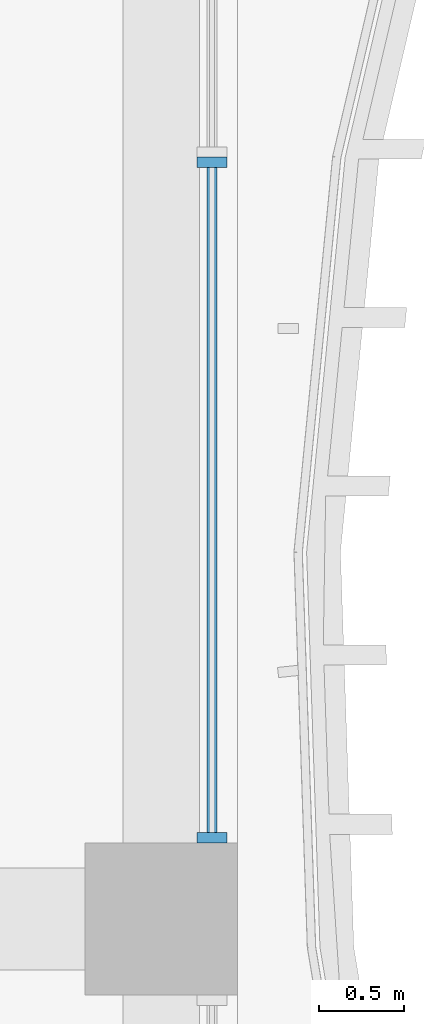
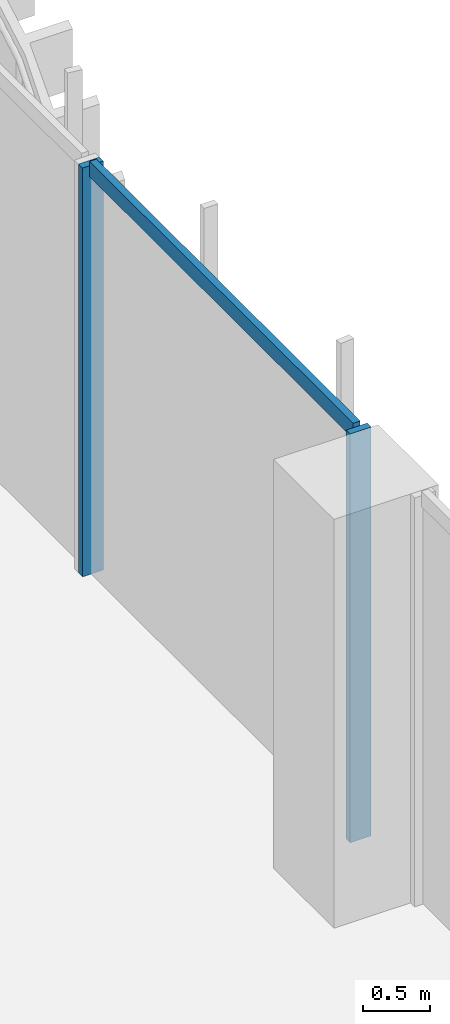
# One storey, part 6 of 25: 3 members, 1 element without a shape of its own.
"""IFC4 building model written with IfcOpenShell, lengths in metres."""

import ifcopenshell
import ifcopenshell.guid

model = None  # the IFC model being written
_history = None  # IfcOwnerHistory: only IFC2X3 demands one
_inside = {}  # id of a spatial element -> (the spatial element, [elements in it])
_under = {}  # id of a project, library or spatial element -> (it, [spatial elements below it])
_declared = {}  # id of a project -> (the project, [libraries it declares])
_typed = {}  # id of a type object -> (the type object, [elements of that type])
_made_of = {}  # id of a material, layer set ... -> (it, [elements and type objects made of it])


def new_model(schema):
    """Start an empty IFC model of exactly this schema.

    Asked for "IFC4X3", IfcOpenShell would pick the latest addendum, in which some entities
    have other attributes; the version numbers below select the first issue.
    IFC2X3 requires an IfcOwnerHistory on every rooted entity: one is made here for all.
    """
    global model, _history
    if schema == "IFC4X3":
        model = ifcopenshell.file(schema_version=(4, 3, 0, 0))
    else:
        model = ifcopenshell.file(schema=schema)
    _inside.clear()
    _under.clear()
    _declared.clear()
    _typed.clear()
    _made_of.clear()
    _history = None
    if model.schema == "IFC2X3":
        org = make("IfcOrganization", Name="unknown")
        user = make(
            "IfcPersonAndOrganization",
            ThePerson=make("IfcPerson", FamilyName="unknown"),
            TheOrganization=org,
        )
        app = make(
            "IfcApplication",
            ApplicationDeveloper=org,
            Version="unknown",
            ApplicationFullName="unknown",
            ApplicationIdentifier="unknown",
        )
        _history = make(
            "IfcOwnerHistory",
            OwningUser=user,
            OwningApplication=app,
            ChangeAction="ADDED",
            CreationDate=0,
        )
    return model


def make(cls, **values):
    """One entity of the class cls with the attributes given. An attribute that is None is left unset."""
    return model.create_entity(
        cls, **{name: value for name, value in values.items() if value is not None}
    )


def rooted(cls, **values):
    """An entity with a GlobalId (a new one), such as an element, a storey or a relation."""
    return make(cls, GlobalId=ifcopenshell.guid.new(), OwnerHistory=_history, **values)


def si_unit(unit_type, name, prefix=None):
    """IfcSIUnit, for example si_unit("LENGTHUNIT", "METRE", prefix="MILLI")."""
    return make("IfcSIUnit", UnitType=unit_type, Prefix=prefix, Name=name)


def assignment(units):
    """IfcUnitAssignment: the units of a project."""
    return None if units is None else make("IfcUnitAssignment", Units=units)


def point(xyz):
    """IfcCartesianPoint."""
    return None if xyz is None else make("IfcCartesianPoint", Coordinates=xyz)


def direction(xyz):
    """IfcDirection."""
    return None if xyz is None else make("IfcDirection", DirectionRatios=xyz)


def frame(location, z_axis=None, x_axis=None):
    """IfcAxis2Placement3D, a coordinate frame: its origin and axes. An axis left out is left unset."""
    return make(
        "IfcAxis2Placement3D",
        Location=point(location),
        Axis=direction(z_axis),
        RefDirection=direction(x_axis),
    )


def frame_2d(location, x_axis=None):
    """IfcAxis2Placement2D, a coordinate frame in the plane: its origin and x axis."""
    return make(
        "IfcAxis2Placement2D", Location=point(location), RefDirection=direction(x_axis)
    )


def origin():
    """The frame at (0, 0, 0) with its axes left unset."""
    return frame((0.0, 0.0, 0.0))


def origin_2d():
    """The frame at (0, 0) in the plane with its x axis left unset."""
    return frame_2d((0.0, 0.0))


def place(relative_to, where):
    """IfcLocalPlacement: puts the frame where relative to a parent placement (None: the world)."""
    return make(
        "IfcLocalPlacement", PlacementRelTo=relative_to, RelativePlacement=where
    )


def context(
    kind, dimensions, precision=None, world=None, true_north=None, identifier=None
):
    """IfcGeometricRepresentationContext, for example the 3D "Model" context."""
    return make(
        "IfcGeometricRepresentationContext",
        ContextIdentifier=identifier,
        ContextType=kind,
        CoordinateSpaceDimension=dimensions,
        Precision=precision,
        WorldCoordinateSystem=world,
        TrueNorth=true_north,
    )


def subcontext(parent, identifier, kind, view, scale=None):
    """IfcGeometricRepresentationSubContext, for example "Body" below "Model"."""
    return make(
        "IfcGeometricRepresentationSubContext",
        ContextIdentifier=identifier,
        ContextType=kind,
        ParentContext=parent,
        TargetScale=scale,
        TargetView=view,
    )


def project(units=None, contexts=None):
    """IfcProject with its units and contexts."""
    return rooted(
        "IfcProject",
        Name="project",
        RepresentationContexts=contexts,
        UnitsInContext=assignment(units),
    )


def spatial(cls, under=None, at=None, **own):
    """A site, building, storey or space (cls), placed at a placement, below another one or the project."""
    s = rooted(cls, ObjectPlacement=at, **own)
    if under is not None:
        _under.setdefault(under.id(), (under, []))[1].append(s)
    return s


def profile(cls, at=None, kind="AREA", **sizes):
    """A parametric profile (cls). Its sizes go by their IFC names, for example OverallWidth=200.0."""
    return make(cls, ProfileType=kind, Position=at, **sizes)


def rectangle(**sizes):
    """IfcRectangleProfileDef."""
    return profile("IfcRectangleProfileDef", **sizes)


def extrude(swept, where, along, depth):
    """IfcExtrudedAreaSolid: the profile swept, set in the frame where, extruded along a direction by depth."""
    return make(
        "IfcExtrudedAreaSolid",
        SweptArea=swept,
        Position=where,
        ExtrudedDirection=direction(along),
        Depth=depth,
    )


def shape(context_of_items, identifier, shape_type, items):
    """IfcShapeRepresentation: the items that make up one representation, for example the "Body"."""
    return make(
        "IfcShapeRepresentation",
        ContextOfItems=context_of_items,
        RepresentationIdentifier=identifier,
        RepresentationType=shape_type,
        Items=items,
    )


def source(mapping_origin, context_of_items, identifier, shape_type, items):
    """IfcRepresentationMap: a shape defined once, which mapped items show again and again."""
    return make(
        "IfcRepresentationMap",
        MappingOrigin=mapping_origin,
        MappedRepresentation=shape(context_of_items, identifier, shape_type, items),
    )


def transform(
    local_origin,
    x_axis=None,
    y_axis=None,
    z_axis=None,
    scale=None,
    scale2=None,
    scale3=None,
    uniform=True,
):
    """IfcCartesianTransformationOperator3D, or its non-uniform kind. x_axis, y_axis, z_axis: its Axis1, 2, 3."""
    if uniform:
        return make(
            "IfcCartesianTransformationOperator3D",
            Axis1=direction(x_axis),
            Axis2=direction(y_axis),
            LocalOrigin=point(local_origin),
            Scale=scale,
            Axis3=direction(z_axis),
        )
    return make(
        "IfcCartesianTransformationOperator3DnonUniform",
        Axis1=direction(x_axis),
        Axis2=direction(y_axis),
        LocalOrigin=point(local_origin),
        Scale=scale,
        Axis3=direction(z_axis),
        Scale2=scale2,
        Scale3=scale3,
    )


def mapped(mapping_source, mapping_target):
    """IfcMappedItem: shows the shape of a source again, moved by a transform."""
    return make(
        "IfcMappedItem", MappingSource=mapping_source, MappingTarget=mapping_target
    )


def material(Name=None, Category=None):
    """IfcMaterial."""
    return make("IfcMaterial", Name=Name, Category=Category)


def material_profile(
    of_material, cross_section, Name=None, Category=None, Priority=None
):
    """IfcMaterialProfile: a cross section and its material."""
    return make(
        "IfcMaterialProfile",
        Name=Name,
        Material=of_material,
        Profile=cross_section,
        Priority=Priority,
        Category=Category,
    )


def profile_set(profiles, Name=None, composite=None):
    """IfcMaterialProfileSet."""
    return make(
        "IfcMaterialProfileSet",
        Name=Name,
        MaterialProfiles=profiles,
        CompositeProfile=composite,
    )


def made_of(thing, what):
    """Note that an element or type object is made of a material, layer set ...; save() writes the relation."""
    if what is not None:
        _made_of.setdefault(what.id(), (what, []))[1].append(thing)
    return thing


def type_object(cls, material=None, **own):
    """A type object (cls), such as IfcWallType, which elements share."""
    return made_of(rooted(cls, **own), material)


def element(
    cls,
    number,
    at=None,
    inside=None,
    cuts=None,
    type_object=None,
    material=None,
    context=None,
    identifier="Body",
    shape_type=None,
    held_by="IfcProductDefinitionShape",
    body=None,
    shapes=None,
    **own,
):
    """One element of the class cls, such as IfcWall. Its Tag is "e" and its number.

    at: its placement. inside: the storey or other place that contains it. cuts: it is an
    opening in that element (IfcRelVoidsElement). A single representation is given by context,
    identifier, shape_type and body (its items); several are given by shapes. held_by: the class
    of the entity that holds the representations. save() writes the other relations.
    """
    e = rooted(cls, Tag="e%d" % number, ObjectPlacement=at, **own)
    if body is not None:
        shapes = [shape(context, identifier, shape_type, body)]
    if shapes is not None:
        e.Representation = make(held_by, Representations=shapes)
    if inside is not None:
        _inside.setdefault(inside.id(), (inside, []))[1].append(e)
    if cuts is not None:
        rooted(
            "IfcRelVoidsElement", RelatingBuildingElement=cuts, RelatedOpeningElement=e
        )
    if type_object is not None:
        _typed.setdefault(type_object.id(), (type_object, []))[1].append(e)
    return made_of(e, material)


def aggregate(whole, parts):
    """IfcRelAggregates: a whole, such as a stair, and the parts it consists of."""
    return rooted("IfcRelAggregates", RelatingObject=whole, RelatedObjects=parts)


def save(model, path):
    """Write the relations noted so far, then the file.

    IfcRelAggregates (storeys below a building ...), IfcRelContainedInSpatialStructure (elements
    in a storey), IfcRelDefinesByType, IfcRelAssociatesMaterial and IfcRelDeclares: one each for
    every whole, place, type object, material and project.
    """
    for whole, parts in _under.values():
        aggregate(whole, parts)
    for where, things in _inside.values():
        rooted(
            "IfcRelContainedInSpatialStructure",
            RelatedElements=things,
            RelatingStructure=where,
        )
    for kind, things in _typed.values():
        rooted("IfcRelDefinesByType", RelatedObjects=things, RelatingType=kind)
    for what, things in _made_of.values():
        rooted("IfcRelAssociatesMaterial", RelatedObjects=things, RelatingMaterial=what)
    for by, libraries in _declared.values():
        rooted("IfcRelDeclares", RelatingContext=by, RelatedDefinitions=libraries)
    model.write(path)


model = new_model("IFC4")

# Units and contexts
model_context = context("Model", 3, precision=1e-05, world=origin(), true_north=direction((0.0, 1.0)))
body_context = subcontext(model_context, "Body", "Model", "MODEL_VIEW")
ifc_project = project(units=[si_unit("LENGTHUNIT", "METRE"), si_unit("AREAUNIT", "SQUARE_METRE"), si_unit("VOLUMEUNIT", "CUBIC_METRE"), si_unit("PLANEANGLEUNIT", "RADIAN"), si_unit("MASSUNIT", "GRAM", prefix="KILO")], contexts=[model_context])

# Site, building, storey
site_placement = place(None, origin())
site = spatial("IfcSite", under=ifc_project, at=site_placement, CompositionType="ELEMENT")
building_placement = place(site_placement, origin())
building = spatial("IfcBuilding", under=site, at=building_placement, Name="Kilnfold Tower and Market Hall", CompositionType="ELEMENT")
storey_placement = place(building_placement, frame((0.0, 0.0, 39.0)))
storey = spatial("IfcBuildingStorey", under=building, at=storey_placement, Name="L08", CompositionType="ELEMENT", Elevation=39.0)

# Curtain wall, members
ifc_material_1 = material(Name="Aluminium and double glazing", Category="aluminium")
curtain_wall_type = type_object("IfcCurtainWallType", Name="CW OF1 VALLEY GLAZING", PredefinedType="NOTDEFINED", material=ifc_material_1)
curtain_wall_placement = place(storey_placement, origin())
curtain_wall = element("IfcCurtainWall", 1, at=curtain_wall_placement, inside=storey, type_object=curtain_wall_type, Name="Curtain wall CW1 L08 E", PredefinedType="NOTDEFINED")
ifc_material_2 = material(Name="Aluminium", Category="aluminium")
ifc_material_profile_1 = material_profile(ifc_material_2, rectangle(XDim=0.06005859375, YDim=0.179931640625, at=origin_2d()), Name="MULLION 60x180")
ifc_profile_set_1 = profile_set([ifc_material_profile_1], Name="Aluminium")
member_type_1 = type_object("IfcMemberType", Name="MULLION 60X180", PredefinedType="MULLION", material=ifc_profile_set_1)
shared_shape_1 = source(origin(), body_context, "Body", "SweptSolid", [
    extrude(rectangle(XDim=0.06005859375, YDim=0.179931640625, at=origin_2d()), origin(), (0.0, 0.0, 1.0), 3.719970703125),
])
member_1_placement = place(storey_placement, frame((27.85009765625, -0.52001953125, 0.0), z_axis=(0.0, 0.0, 1.0), x_axis=(0.0, 1.0, 0.0)))
member_1 = element("IfcMember", 2, at=member_1_placement, type_object=member_type_1, Name="CW1 mullion 1", PredefinedType="MULLION", context=body_context, shape_type="MappedRepresentation", body=[
    mapped(shared_shape_1, transform((0.0, 0.0, 0.0))),
])
member_2_placement = place(storey_placement, frame((27.85009765625, 3.469970703125, 0.0), z_axis=(0.0, 0.0, 1.0), x_axis=(0.0, 1.0, 0.0)))
member_2 = element("IfcMember", 3, at=member_2_placement, type_object=member_type_1, Name="CW1 mullion 2", PredefinedType="MULLION", context=body_context, shape_type="MappedRepresentation", body=[
    mapped(shared_shape_1, transform((0.0, 0.0, 0.0))),
])
ifc_material_3 = material(Name="Aluminium", Category="aluminium")
ifc_material_profile_2 = material_profile(ifc_material_3, rectangle(XDim=0.06005859375, YDim=0.139892578125, at=origin_2d()), Name="TRANSOM 60x140")
ifc_profile_set_2 = profile_set([ifc_material_profile_2], Name="Aluminium")
member_type_2 = type_object("IfcMemberType", Name="TRANSOM 60X140", PredefinedType="USERDEFINED", material=ifc_profile_set_2)
shared_shape_2 = source(origin(), body_context, "Body", "SweptSolid", [
    extrude(rectangle(XDim=0.06005859375, YDim=0.139892578125, at=origin_2d()), origin(), (0.0, 0.0, 1.0), 3.929931640625),
])
member_3_placement = place(storey_placement, frame((27.85009765625, -0.489990234375, 3.68994140625), z_axis=(0.0, 1.0, 0.0), x_axis=(-1.0, 0.0, 0.0)))
member_3 = element("IfcMember", 4, at=member_3_placement, type_object=member_type_2, Name="CW1 transom 1.2", ObjectType="TRANSOM", PredefinedType="USERDEFINED", context=body_context, shape_type="MappedRepresentation", body=[
    mapped(shared_shape_2, transform((0.0, 0.0, 0.0))),
])
aggregate(curtain_wall, [member_1, member_2, member_3])

save(model, "model.ifc")
